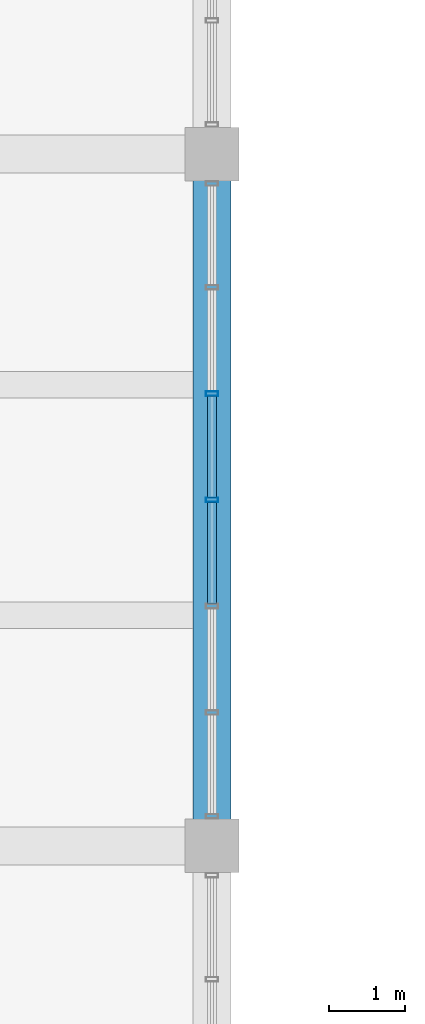
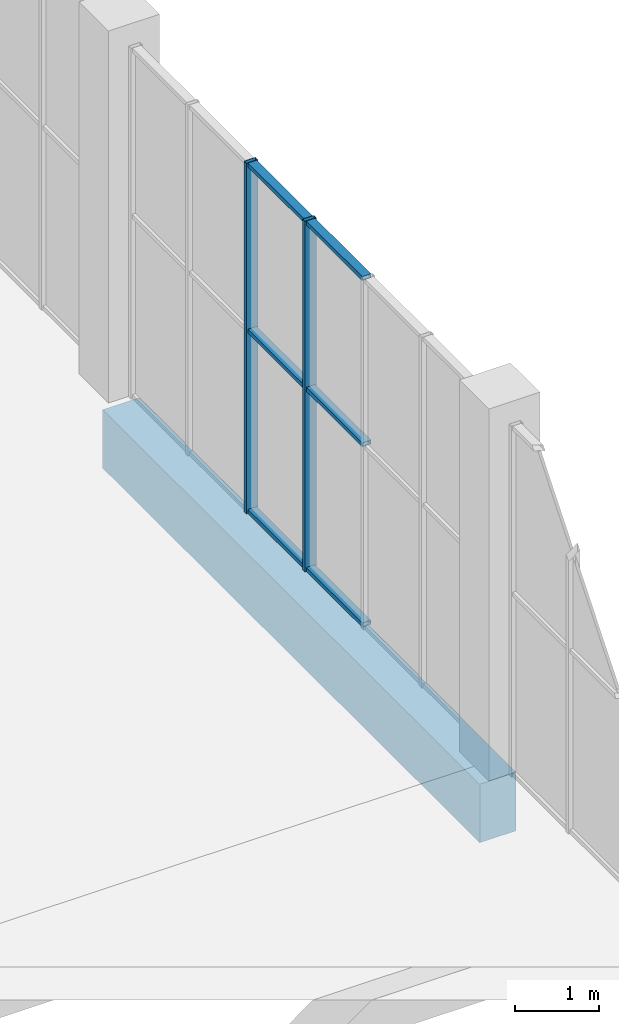
# One storey, part 20 of 91: 8 members, 1 beam, 1 element without a shape of its own.
"""IFC4 building model written with IfcOpenShell, lengths in metres."""

from ifc_helpers import new_model, si_unit, direction, frame, origin, origin_2d, place, context, subcontext, project, spatial, rectangle, hollow_rectangle, extrude, material, material_profile, profile_set, type_object, element, aggregate, save


model = new_model("IFC4")

# Units and contexts
model_context = context("Model", 3, precision=1e-05, world=origin(), true_north=direction((0.0, 1.0)))
body_context = subcontext(model_context, "Body", "Model", "MODEL_VIEW")
ifc_project = project(units=[si_unit("LENGTHUNIT", "METRE"), si_unit("AREAUNIT", "SQUARE_METRE"), si_unit("VOLUMEUNIT", "CUBIC_METRE"), si_unit("PLANEANGLEUNIT", "RADIAN"), si_unit("MASSUNIT", "GRAM", prefix="KILO")], contexts=[model_context])

# Site, building, storey
site_placement = place(None, origin())
site = spatial("IfcSite", under=ifc_project, at=site_placement, CompositionType="ELEMENT")
building_placement = place(site_placement, origin())
building = spatial("IfcBuilding", under=site, at=building_placement, Name="Khurvash Pelagic Aquarium", CompositionType="ELEMENT")
storey_placement = place(building_placement, origin())
storey = spatial("IfcBuildingStorey", under=building, at=storey_placement, Name="L00", CompositionType="ELEMENT", Elevation=0.0)

# Curtain wall, members
ifc_material_1 = material(Name="Anodised aluminium and low-E laminated glass", Category="aluminium")
curtain_wall_type = type_object("IfcCurtainWallType", Name="CW-05", PredefinedType="USERDEFINED", material=ifc_material_1)
curtain_wall_placement = place(storey_placement, origin())
curtain_wall = element("IfcCurtainWall", 1, at=curtain_wall_placement, inside=storey, type_object=curtain_wall_type, Name="L00 Facade Unitised Curtain Wall CW-05 0077", ObjectType="UNITISED CURTAIN WALL", PredefinedType="USERDEFINED")
ifc_material_2 = material(Name="Extruded aluminium AW-6063-T6", Category="aluminium")
ifc_material_profile_1 = material_profile(ifc_material_2, hollow_rectangle(XDim=0.06005859375, YDim=0.159912109375, WallThickness=0.00390625, at=origin_2d()), Name="CWM60X160X4")
ifc_profile_set_1 = profile_set([ifc_material_profile_1], Name="Extruded aluminium AW-6063-T6")
member_type_1 = type_object("IfcMemberType", Name="CM-02", PredefinedType="MULLION", material=ifc_profile_set_1)
member_1_placement = place(storey_placement, frame((33.60009765625, 61.425048828125, 0.0), z_axis=(0.0, 0.0, 1.0), x_axis=(0.0, 1.0, 0.0)))
member_1 = element("IfcMember", 2, at=member_1_placement, type_object=member_type_1, Name="CW-05 mullion 4", PredefinedType="MULLION", context=body_context, shape_type="SweptSolid", body=[
    extrude(hollow_rectangle(XDim=0.06005859375, YDim=0.159912109375, WallThickness=0.00390625, at=origin_2d()), origin(), (0.0, 0.0, 1.0), 5.090087890625),
])
member_2_placement = place(storey_placement, frame((33.60009765625, 62.81494140625, 0.0), z_axis=(0.0, 0.0, 1.0), x_axis=(0.0, 1.0, 0.0)))
member_2 = element("IfcMember", 3, at=member_2_placement, type_object=member_type_1, Name="CW-05 mullion 5", PredefinedType="MULLION", context=body_context, shape_type="SweptSolid", body=[
    extrude(hollow_rectangle(XDim=0.06005859375, YDim=0.159912109375, WallThickness=0.00390625, at=origin_2d()), origin(), (0.0, 0.0, 1.0), 5.090087890625),
])
ifc_material_profile_2 = material_profile(ifc_material_2, hollow_rectangle(XDim=0.1201171875, YDim=0.06005859375, WallThickness=0.00390625, at=origin_2d()), Name="CWT120X60X4")
ifc_profile_set_2 = profile_set([ifc_material_profile_2], Name="Extruded aluminium AW-6063-T6")
member_type_2 = type_object("IfcMemberType", Name="CT-02", PredefinedType="USERDEFINED", material=ifc_profile_set_2)
member_3_placement = place(storey_placement, frame((33.60009765625, 60.06494140625, 0.030029296875), z_axis=(0.0, 1.0, 0.0), x_axis=(-1.0, 0.0, 0.0)))
member_3 = element("IfcMember", 4, at=member_3_placement, type_object=member_type_2, Name="CW-05 transom 3.1", ObjectType="TRANSOM", PredefinedType="USERDEFINED", context=body_context, shape_type="SweptSolid", body=[
    extrude(hollow_rectangle(XDim=0.1201171875, YDim=0.06005859375, WallThickness=0.00390625, at=origin_2d()), origin(), (0.0, 0.0, 1.0), 1.330078125),
])
member_4_placement = place(storey_placement, frame((33.60009765625, 60.06494140625, 2.64697265625), z_axis=(0.0, 1.0, 0.0), x_axis=(-1.0, 0.0, 0.0)))
member_4 = element("IfcMember", 5, at=member_4_placement, type_object=member_type_2, Name="CW-05 transom 3.2", ObjectType="TRANSOM", PredefinedType="USERDEFINED", context=body_context, shape_type="SweptSolid", body=[
    extrude(hollow_rectangle(XDim=0.1201171875, YDim=0.06005859375, WallThickness=0.00390625, at=origin_2d()), origin(), (0.0, 0.0, 1.0), 1.330078125),
])
member_5_placement = place(storey_placement, frame((33.60009765625, 60.06494140625, 5.06005859375), z_axis=(0.0, 1.0, 0.0), x_axis=(-1.0, 0.0, 0.0)))
member_5 = element("IfcMember", 6, at=member_5_placement, type_object=member_type_2, Name="CW-05 transom 3.3", ObjectType="TRANSOM", PredefinedType="USERDEFINED", context=body_context, shape_type="SweptSolid", body=[
    extrude(hollow_rectangle(XDim=0.1201171875, YDim=0.06005859375, WallThickness=0.00390625, at=origin_2d()), origin(), (0.0, 0.0, 1.0), 1.330078125),
])
member_6_placement = place(storey_placement, frame((33.60009765625, 61.455078125, 0.030029296875), z_axis=(0.0, 1.0, 0.0), x_axis=(-1.0, 0.0, 0.0)))
member_6 = element("IfcMember", 7, at=member_6_placement, type_object=member_type_2, Name="CW-05 transom 4.1", ObjectType="TRANSOM", PredefinedType="USERDEFINED", context=body_context, shape_type="SweptSolid", body=[
    extrude(hollow_rectangle(XDim=0.1201171875, YDim=0.06005859375, WallThickness=0.00390625, at=origin_2d()), origin(), (0.0, 0.0, 1.0), 1.329833984375),
])
member_7_placement = place(storey_placement, frame((33.60009765625, 61.455078125, 2.64697265625), z_axis=(0.0, 1.0, 0.0), x_axis=(-1.0, 0.0, 0.0)))
member_7 = element("IfcMember", 8, at=member_7_placement, type_object=member_type_2, Name="CW-05 transom 4.2", ObjectType="TRANSOM", PredefinedType="USERDEFINED", context=body_context, shape_type="SweptSolid", body=[
    extrude(hollow_rectangle(XDim=0.1201171875, YDim=0.06005859375, WallThickness=0.00390625, at=origin_2d()), origin(), (0.0, 0.0, 1.0), 1.329833984375),
])
member_8_placement = place(storey_placement, frame((33.60009765625, 61.455078125, 5.06005859375), z_axis=(0.0, 1.0, 0.0), x_axis=(-1.0, 0.0, 0.0)))
member_8 = element("IfcMember", 9, at=member_8_placement, type_object=member_type_2, Name="CW-05 transom 4.3", ObjectType="TRANSOM", PredefinedType="USERDEFINED", context=body_context, shape_type="SweptSolid", body=[
    extrude(hollow_rectangle(XDim=0.1201171875, YDim=0.06005859375, WallThickness=0.00390625, at=origin_2d()), origin(), (0.0, 0.0, 1.0), 1.329833984375),
])
aggregate(curtain_wall, [member_1, member_2, member_3, member_4, member_5, member_6, member_7, member_8])

# Beam
ifc_material_3 = material(Name="Concrete C40/50", Category="concrete")
ifc_material_profile_3 = material_profile(ifc_material_3, rectangle(XDim=0.5, YDim=0.85009765625, at=origin_2d()), Name="RC500X850")
ifc_profile_set_3 = profile_set([ifc_material_profile_3], Name="Concrete C40/50")
beam_type = type_object("IfcBeamType", Name="SEB-03", PredefinedType="SPANDREL", material=ifc_profile_set_3)
beam_placement = place(storey_placement, frame((33.60009765625, 56.93994140625, -0.7451171875), z_axis=(0.0, 1.0, 0.0), x_axis=(-1.0, 0.0, 0.0)))
element("IfcBeam", 10, at=beam_placement, inside=storey, type_object=beam_type, Name="L00 Primary Girder SEB-03 00094", PredefinedType="SPANDREL", context=body_context, shape_type="SweptSolid", body=[
    extrude(rectangle(XDim=0.5, YDim=0.85009765625, at=origin_2d()), origin(), (0.0, 0.0, 1.0), 8.969970703125),
])

save(model, "model.ifc")
